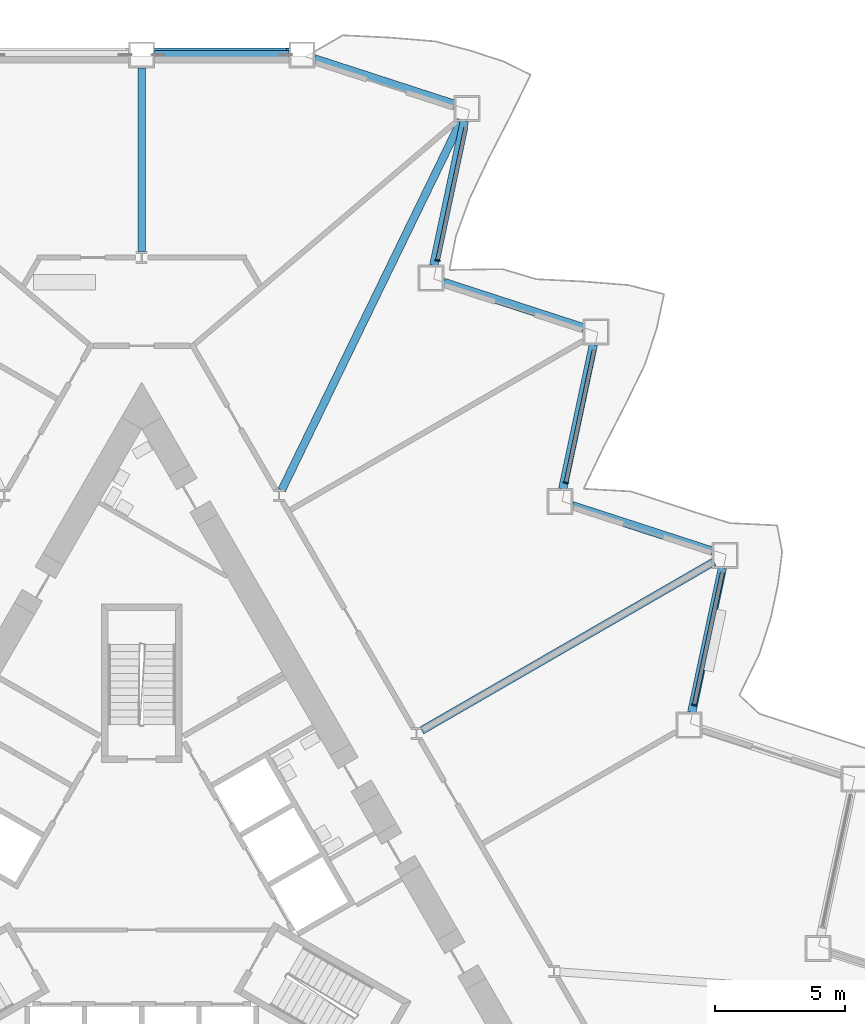
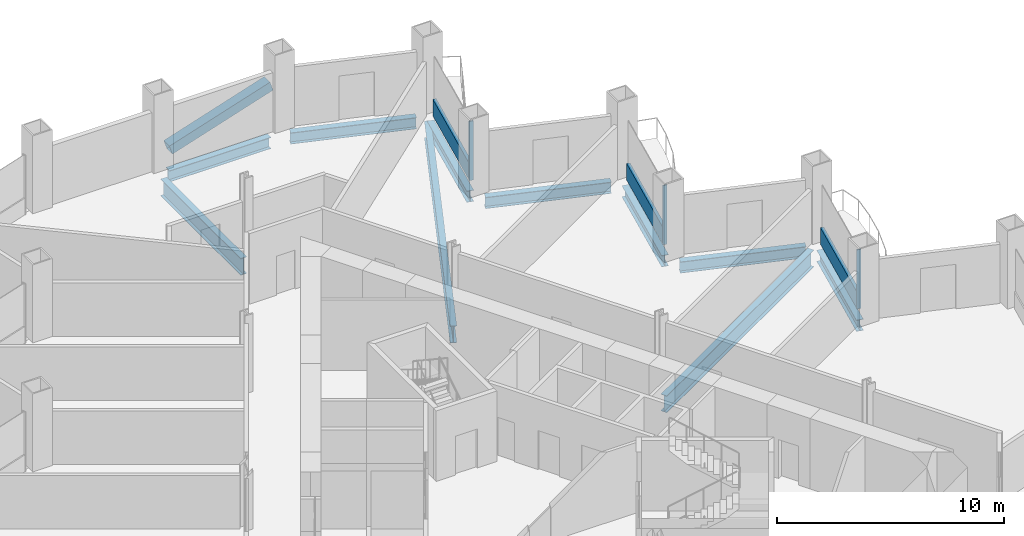
# One storey, part 7 of 21: 10 beams, 7 members, 3 elements without a shape of their own.
"""IFC4 building model written with IfcOpenShell, lengths in metres."""

from ifc_helpers import new_model, si_unit, direction, frame, origin, origin_2d, place, context, subcontext, project, spatial, rectangle, hollow_rectangle, i_section, extrude, material, layer, layer_set, material_profile, profile_set, type_object, element, aggregate, save


model = new_model("IFC4")

# Units and contexts
model_context = context("Model", 3, precision=1e-05, world=origin(), true_north=direction((0.0, 1.0)))
body_context = subcontext(model_context, "Body", "Model", "MODEL_VIEW")
ifc_project = project(units=[si_unit("LENGTHUNIT", "METRE"), si_unit("AREAUNIT", "SQUARE_METRE"), si_unit("VOLUMEUNIT", "CUBIC_METRE"), si_unit("PLANEANGLEUNIT", "RADIAN"), si_unit("MASSUNIT", "GRAM", prefix="KILO")], contexts=[model_context])

# Site, building, storey
site_placement = place(None, origin())
site = spatial("IfcSite", under=ifc_project, at=site_placement, CompositionType="ELEMENT")
building_placement = place(site_placement, origin())
building = spatial("IfcBuilding", under=site, at=building_placement, Name="Cormorant Prow Tower", CompositionType="ELEMENT")
storey_placement = place(building_placement, frame((0.0, 0.0, 76.199951171875)))
storey = spatial("IfcBuildingStorey", under=building, at=storey_placement, Name="L16", CompositionType="ELEMENT", Elevation=76.199951171875)

# Member
ifc_material_1 = material(Name="Structural steel ASTM A500 Gr C", Category="steel")
ifc_material_profile_1 = material_profile(ifc_material_1, hollow_rectangle(XDim=0.508056640625, YDim=0.508056640625, WallThickness=0.014892578125, at=origin_2d()), Name="HSS20x20x5/8")
ifc_profile_set_1 = profile_set([ifc_material_profile_1], Name="Structural steel ASTM A500 Gr C")
member_type_1 = type_object("IfcMemberType", Name="Chamfer brace HSS20x20x5/8", PredefinedType="BRACE", material=ifc_profile_set_1)
member_1_placement = place(storey_placement, frame((0.518798828125, 32.233642578125, 0.767333984375), z_axis=(0.951774314198, 0.0, 0.306799046335), x_axis=(0.0, 1.0, 0.0)))
element("IfcMember", 1, at=member_1_placement, inside=storey, type_object=member_type_1, Name="Chamfer brace BR1 at N00 L16", PredefinedType="BRACE", context=body_context, shape_type="SweptSolid", body=[
    extrude(hollow_rectangle(XDim=0.508056640625, YDim=0.508056640625, WallThickness=0.014892578125, at=origin_2d()), origin(), (0.0, 0.0, 1.0), 5.39208984375),
])

# Curtain wall, member
ifc_material_2 = material(Name="Aluminium 6063-T6", Category="aluminium")
ifc_layer = layer(ifc_material_2, 0.199951171875)
ifc_layer_set = layer_set([ifc_layer], Name="Aluminium 6063-T6")
curtain_wall_type = type_object("IfcCurtainWallType", Name="Office unitised curtain wall 200", PredefinedType="NOTDEFINED", material=ifc_layer_set)
curtain_wall_1_placement = place(storey_placement, origin())
curtain_wall_1 = element("IfcCurtainWall", 2, at=curtain_wall_1_placement, inside=storey, type_object=curtain_wall_type, Name="Office curtain wall ENE04", PredefinedType="NOTDEFINED")
ifc_material_3 = material(Name="Aluminium 6063-T6", Category="aluminium")
ifc_material_profile_2 = material_profile(ifc_material_3, rectangle(XDim=0.199951171875, YDim=0.06005859375, at=origin_2d()), Name="Office mullion 60x200")
ifc_profile_set_2 = profile_set([ifc_material_profile_2], Name="Aluminium 6063-T6")
member_type_2 = type_object("IfcMemberType", Name="Office mullion 60x200", PredefinedType="MULLION", material=ifc_profile_set_2)
member_2_placement = place(storey_placement, frame((21.271484375, 7.205322265625, 0.0), z_axis=(0.0, 0.0, 1.0), x_axis=(-0.978147594021, 0.207911722401, 0.0)))
member_2 = element("IfcMember", 3, at=member_2_placement, type_object=member_type_2, Name="Office mullion ENE04", PredefinedType="MULLION", context=body_context, shape_type="SweptSolid", body=[
    extrude(rectangle(XDim=0.199951171875, YDim=0.06005859375, at=origin_2d()), origin(), (0.0, 0.0, 1.0), 3.18896484375),
])

curtain_wall_2_placement = place(storey_placement, origin())
curtain_wall_2 = element("IfcCurtainWall", 4, at=curtain_wall_2_placement, inside=storey, type_object=curtain_wall_type, Name="Office curtain wall ENE06", PredefinedType="NOTDEFINED")
member_3_placement = place(storey_placement, frame((16.3310546875, 15.762451171875, 0.0), z_axis=(0.0, 0.0, 1.0), x_axis=(-0.978147594021, 0.207911722401, 0.0)))
member_3 = element("IfcMember", 5, at=member_3_placement, type_object=member_type_2, Name="Office mullion ENE06", PredefinedType="MULLION", context=body_context, shape_type="SweptSolid", body=[
    extrude(rectangle(XDim=0.199951171875, YDim=0.06005859375, at=origin_2d()), origin(), (0.0, 0.0, 1.0), 3.18896484375),
])

curtain_wall_3_placement = place(storey_placement, origin())
curtain_wall_3 = element("IfcCurtainWall", 6, at=curtain_wall_3_placement, inside=storey, type_object=curtain_wall_type, Name="Office curtain wall ENE08", PredefinedType="NOTDEFINED")
member_4_placement = place(storey_placement, frame((11.390625, 24.319580078125, 0.0), z_axis=(0.0, 0.0, 1.0), x_axis=(-0.978147594021, 0.207911722401, 0.0)))
member_4 = element("IfcMember", 7, at=member_4_placement, type_object=member_type_2, Name="Office mullion ENE08", PredefinedType="MULLION", context=body_context, shape_type="SweptSolid", body=[
    extrude(rectangle(XDim=0.199951171875, YDim=0.06005859375, at=origin_2d()), origin(), (0.0, 0.0, 1.0), 3.18896484375),
])

# Member
ifc_material_4 = material(Name="Terracotta", Category="masonry")
ifc_material_profile_3 = material_profile(ifc_material_4, rectangle(XDim=0.159912109375, YDim=0.89990234375, at=origin_2d()), Name="Office terracotta spandrel rail 160x900")
ifc_profile_set_3 = profile_set([ifc_material_profile_3], Name="Terracotta")
member_type_3 = type_object("IfcMemberType", Name="Office terracotta spandrel rail 160x900", PredefinedType="USERDEFINED", material=ifc_profile_set_3)
member_5_placement = place(storey_placement, frame((21.27783203125, 7.23486328125, 0.449951171875), z_axis=(0.207916794686, 0.978146515859, 0.0), x_axis=(-0.978146515859, 0.207916794686, 0.0)))
member_5 = element("IfcMember", 8, at=member_5_placement, type_object=member_type_3, Name="Office spandrel rail ENE04", ObjectType="TRANSOM", PredefinedType="USERDEFINED", context=body_context, shape_type="SweptSolid", body=[
    extrude(rectangle(XDim=0.159912109375, YDim=0.89990234375, at=origin_2d()), origin(), (0.0, 0.0, 1.0), 5.181884765625),
])

aggregate(curtain_wall_1, [member_2, member_5])

member_6_placement = place(storey_placement, frame((16.33740234375, 15.791748046875, 0.449951171875), z_axis=(0.207907213273, 0.978148552455, 0.0), x_axis=(-0.978148552455, 0.207907213273, 0.0)))
member_6 = element("IfcMember", 9, at=member_6_placement, type_object=member_type_3, Name="Office spandrel rail ENE06", ObjectType="TRANSOM", PredefinedType="USERDEFINED", context=body_context, shape_type="SweptSolid", body=[
    extrude(rectangle(XDim=0.159912109375, YDim=0.89990234375, at=origin_2d()), origin(), (0.0, 0.0, 1.0), 5.18212890625),
])

aggregate(curtain_wall_2, [member_3, member_6])

member_7_placement = place(storey_placement, frame((11.39697265625, 24.348876953125, 0.449951171875), z_axis=(0.207907213273, 0.978148552455, 0.0), x_axis=(-0.978148552455, 0.207907213273, 0.0)))
member_7 = element("IfcMember", 10, at=member_7_placement, type_object=member_type_3, Name="Office spandrel rail ENE08", ObjectType="TRANSOM", PredefinedType="USERDEFINED", context=body_context, shape_type="SweptSolid", body=[
    extrude(rectangle(XDim=0.159912109375, YDim=0.89990234375, at=origin_2d()), origin(), (0.0, 0.0, 1.0), 5.18212890625),
])

aggregate(curtain_wall_3, [member_4, member_7])

# Beams
ifc_material_5 = material(Name="Structural steel ASTM A992 Gr 50", Category="steel")
ifc_material_profile_4 = material_profile(ifc_material_5, i_section(OverallWidth=0.3046875, OverallDepth=0.914794921875, WebThickness=0.0166015625, FlangeThickness=0.02587890625, at=origin_2d()), Name="W36x160")
ifc_profile_set_4 = profile_set([ifc_material_profile_4], Name="Structural steel ASTM A992 Gr 50")
beam_type_1 = type_object("IfcBeamType", Name="Radial floor beam W36x160", PredefinedType="BEAM", material=ifc_profile_set_4)
beam_1_placement = place(storey_placement, frame((0.0, 24.662109375, -0.857421875), z_axis=(0.0, 1.0, 0.0), x_axis=(-1.0, 0.0, 0.0)))
element("IfcBeam", 11, at=beam_1_placement, inside=storey, type_object=beam_type_1, Name="Radial floor beam FB1 1 L16", PredefinedType="BEAM", context=body_context, shape_type="SweptSolid", body=[
    extrude(i_section(OverallWidth=0.3046875, OverallDepth=0.914794921875, WebThickness=0.0166015625, FlangeThickness=0.02587890625, at=origin_2d()), origin(), (0.0, 0.0, 1.0), 7.071533203125),
])
beam_2_placement = place(storey_placement, frame((10.779541015625, 6.2236328125, -0.857421875), z_axis=(0.866030278318, 0.499991556966, 0.0), x_axis=(-0.499991556966, 0.866030278318, 0.0)))
element("IfcBeam", 12, at=beam_2_placement, inside=storey, type_object=beam_type_1, Name="Radial floor beam FB1 11 L16", PredefinedType="BEAM", context=body_context, shape_type="SweptSolid", body=[
    extrude(i_section(OverallWidth=0.3046875, OverallDepth=0.914794921875, WebThickness=0.0166015625, FlangeThickness=0.02587890625, at=origin_2d()), origin(), (0.0, 0.0, 1.0), 12.984130859375),
])
beam_3_placement = place(storey_placement, frame((5.390625, 15.4775390625, -0.857421875), z_axis=(0.436839436813, 0.899539496879, 0.0), x_axis=(-0.899539496879, 0.436839436813, 0.0)))
element("IfcBeam", 13, at=beam_3_placement, inside=storey, type_object=beam_type_1, Name="Radial floor beam FB1 12 L16", PredefinedType="BEAM", context=body_context, shape_type="SweptSolid", body=[
    extrude(i_section(OverallWidth=0.3046875, OverallDepth=0.914794921875, WebThickness=0.0166015625, FlangeThickness=0.02587890625, at=origin_2d()), origin(), (0.0, 0.0, 1.0), 15.83203125),
])
ifc_material_6 = material(Name="Structural steel ASTM A992 Gr 50", Category="steel")
ifc_material_profile_5 = material_profile(ifc_material_6, i_section(OverallWidth=0.32373046875, OverallDepth=0.611083984375, WebThickness=0.0126953125, FlangeThickness=0.01904296875, at=origin_2d()), Name="W24x104")
ifc_profile_set_5 = profile_set([ifc_material_profile_5], Name="Structural steel ASTM A992 Gr 50")
beam_type_2 = type_object("IfcBeamType", Name="Spandrel beam W24x104", PredefinedType="SPANDREL", material=ifc_profile_set_5)
beam_4_placement = place(storey_placement, frame((21.171875, 6.918212890625, -0.70556640625), z_axis=(0.207900376723, 0.97815000555, 0.0), x_axis=(-0.97815000555, 0.207900376723, 0.0)))
element("IfcBeam", 14, at=beam_4_placement, inside=storey, type_object=beam_type_2, Name="Spandrel beam SB1 ENE04-ENE05 L16", PredefinedType="SPANDREL", context=body_context, shape_type="SweptSolid", body=[
    extrude(i_section(OverallWidth=0.32373046875, OverallDepth=0.611083984375, WebThickness=0.0126953125, FlangeThickness=0.01904296875, at=origin_2d()), origin(), (0.0, 0.0, 1.0), 5.6826171875),
])
beam_5_placement = place(storey_placement, frame((21.981689453125, 13.1201171875, -0.70556640625), z_axis=(-0.951049222751, 0.309039440696, 0.0), x_axis=(-0.309039440696, -0.951049222751, 0.0)))
element("IfcBeam", 15, at=beam_5_placement, inside=storey, type_object=beam_type_2, Name="Spandrel beam SB1 ENE05-ENE06 L16", PredefinedType="SPANDREL", context=body_context, shape_type="SweptSolid", body=[
    extrude(i_section(OverallWidth=0.32373046875, OverallDepth=0.611083984375, WebThickness=0.0126953125, FlangeThickness=0.01904296875, at=origin_2d()), origin(), (0.0, 0.0, 1.0), 5.682373046875),
])
beam_6_placement = place(storey_placement, frame((16.205810546875, 15.519775390625, -0.70556640625), z_axis=(0.207900376723, 0.97815000555, 0.0), x_axis=(-0.97815000555, 0.207900376723, 0.0)))
element("IfcBeam", 16, at=beam_6_placement, inside=storey, type_object=beam_type_2, Name="Spandrel beam SB1 ENE06-ENE07 L16", PredefinedType="SPANDREL", context=body_context, shape_type="SweptSolid", body=[
    extrude(i_section(OverallWidth=0.32373046875, OverallDepth=0.611083984375, WebThickness=0.0126953125, FlangeThickness=0.01904296875, at=origin_2d()), origin(), (0.0, 0.0, 1.0), 5.6826171875),
])
beam_7_placement = place(storey_placement, frame((17.015625, 21.7216796875, -0.70556640625), z_axis=(-0.951049222751, 0.309039440696, 0.0), x_axis=(-0.309039440696, -0.951049222751, 0.0)))
element("IfcBeam", 17, at=beam_7_placement, inside=storey, type_object=beam_type_2, Name="Spandrel beam SB1 ENE07-ENE08 L16", PredefinedType="SPANDREL", context=body_context, shape_type="SweptSolid", body=[
    extrude(i_section(OverallWidth=0.32373046875, OverallDepth=0.611083984375, WebThickness=0.0126953125, FlangeThickness=0.01904296875, at=origin_2d()), origin(), (0.0, 0.0, 1.0), 5.682373046875),
])
beam_8_placement = place(storey_placement, frame((11.23974609375, 24.121337890625, -0.70556640625), z_axis=(0.207900376723, 0.97815000555, 0.0), x_axis=(-0.97815000555, 0.207900376723, 0.0)))
element("IfcBeam", 18, at=beam_8_placement, inside=storey, type_object=beam_type_2, Name="Spandrel beam SB1 ENE08-ENE09 L16", PredefinedType="SPANDREL", context=body_context, shape_type="SweptSolid", body=[
    extrude(i_section(OverallWidth=0.32373046875, OverallDepth=0.611083984375, WebThickness=0.0126953125, FlangeThickness=0.01904296875, at=origin_2d()), origin(), (0.0, 0.0, 1.0), 5.6826171875),
])
beam_9_placement = place(storey_placement, frame((12.049560546875, 30.3232421875, -0.70556640625), z_axis=(-0.951061849722, 0.309000579292, 0.0), x_axis=(-0.309000579292, -0.951061849722, 0.0)))
element("IfcBeam", 19, at=beam_9_placement, inside=storey, type_object=beam_type_2, Name="Spandrel beam SB1 ENE09-N00 L16", PredefinedType="SPANDREL", context=body_context, shape_type="SweptSolid", body=[
    extrude(i_section(OverallWidth=0.32373046875, OverallDepth=0.611083984375, WebThickness=0.0126953125, FlangeThickness=0.01904296875, at=origin_2d()), origin(), (0.0, 0.0, 1.0), 5.682373046875),
])
beam_10_placement = place(storey_placement, frame((5.669677734375, 32.233642578125, -0.70556640625), z_axis=(-1.0, 0.0, 0.0), x_axis=(0.0, -1.0, 0.0)))
element("IfcBeam", 20, at=beam_10_placement, inside=storey, type_object=beam_type_2, Name="Spandrel beam SB1 N00-N01 L16", PredefinedType="SPANDREL", context=body_context, shape_type="SweptSolid", body=[
    extrude(i_section(OverallWidth=0.32373046875, OverallDepth=0.611083984375, WebThickness=0.0126953125, FlangeThickness=0.01904296875, at=origin_2d()), origin(), (0.0, 0.0, 1.0), 5.169677734375),
])

save(model, "model.ifc")
